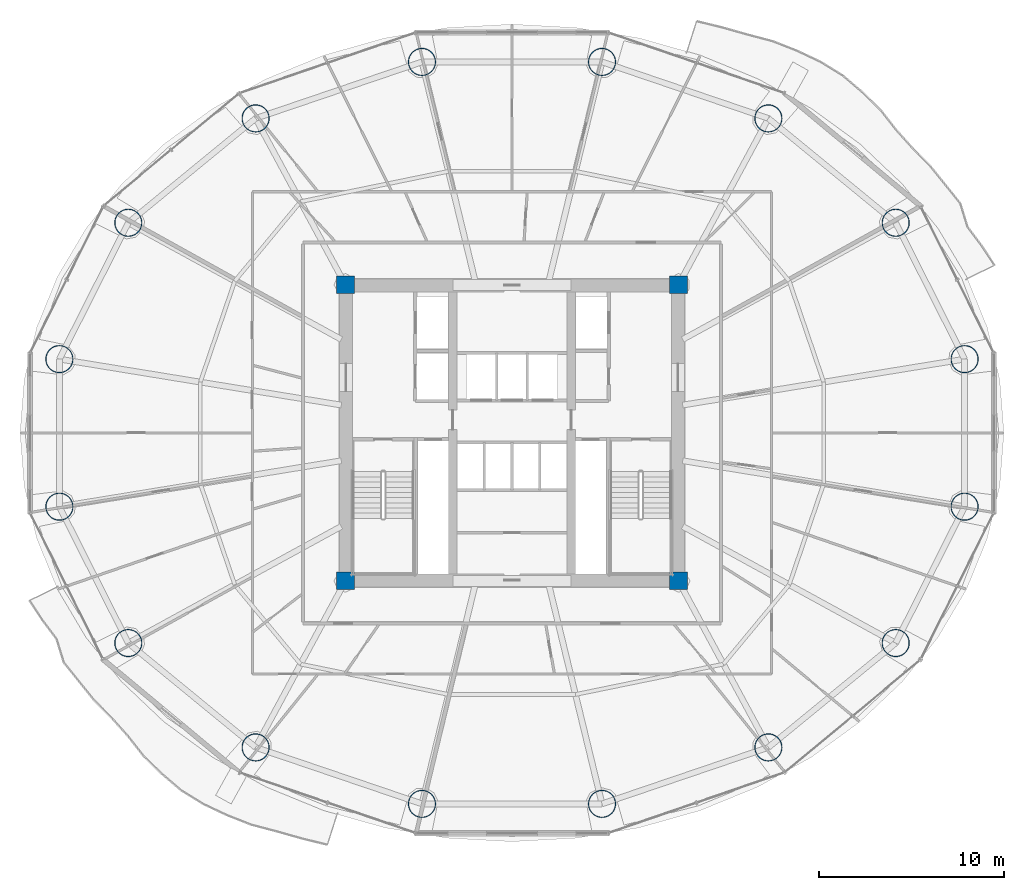
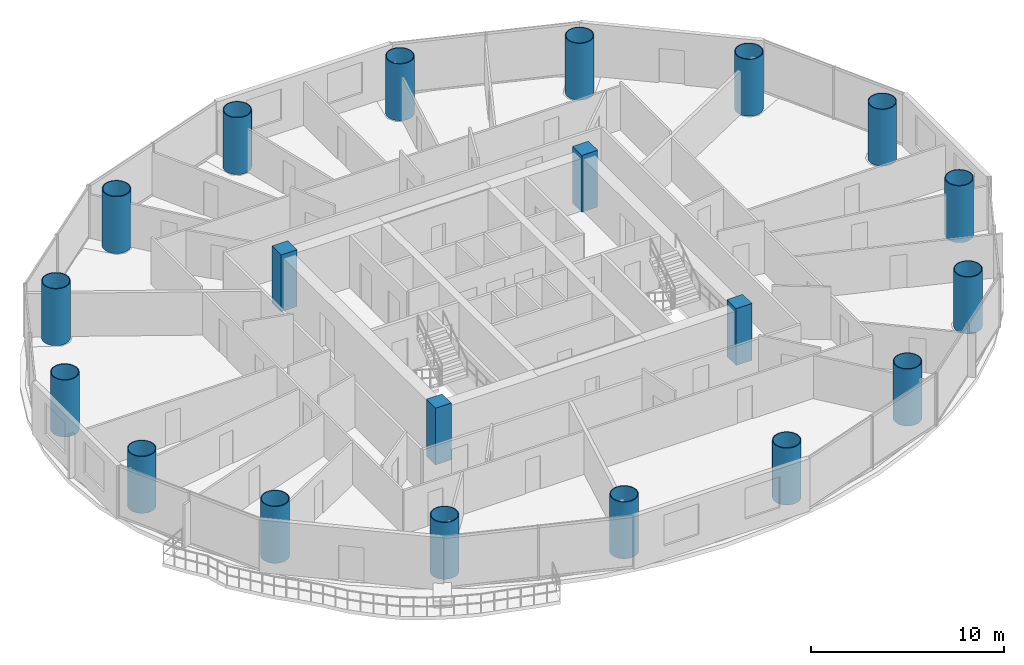
# One storey, part 1 of 29: 20 columns.
"""IFC4 building model written with IfcOpenShell, lengths in metres."""

from ifc_helpers import new_model, si_unit, direction, frame, origin, origin_2d, place, context, subcontext, project, spatial, rectangle, hollow_circle, extrude, material, material_profile, profile_set, type_object, element, save


model = new_model("IFC4")

# Units and contexts
model_context = context("Model", 3, precision=1e-05, world=origin(), true_north=direction((-0.2419218956, 0.970295726276)))
body_context = subcontext(model_context, "Body", "Model", "MODEL_VIEW")
ifc_project = project(units=[si_unit("LENGTHUNIT", "METRE"), si_unit("AREAUNIT", "SQUARE_METRE"), si_unit("VOLUMEUNIT", "CUBIC_METRE"), si_unit("PLANEANGLEUNIT", "RADIAN"), si_unit("MASSUNIT", "GRAM", prefix="KILO")], contexts=[model_context])

# Site, building, storey
site_placement = place(None, origin())
site = spatial("IfcSite", under=ifc_project, at=site_placement, CompositionType="ELEMENT")
building_placement = place(site_placement, origin())
building = spatial("IfcBuilding", under=site, at=building_placement, Name="Cobrevalo Terracotta Tower", CompositionType="ELEMENT")
storey_placement = place(building_placement, frame((0.0, 0.0, 90.60009765625)))
storey = spatial("IfcBuildingStorey", under=building, at=storey_placement, Name="L23", CompositionType="ELEMENT", Elevation=90.60009765625)

# Columns
ifc_material_1 = material(Name="Steel S355", Category="steel")
ifc_material_profile_1 = material_profile(ifc_material_1, hollow_circle(Radius=0.75, WallThickness=0.044921875, at=origin_2d()), Name="CHS 1500x45")
ifc_profile_set_1 = profile_set([ifc_material_profile_1], Name="Steel S355")
column_type_1 = type_object("IfcColumnType", Name="Structural Column CHS 1500x45 (Steel S355)", PredefinedType="COLUMN", material=ifc_profile_set_1)
for number, where, z_axis, x_axis, name in (
    (1, (62.470703125, 30.78955078125, 0.0), (0.0, 0.0, 1.0), (1.0, 0.0, 0.0), "L23 composite megacolumn MC01"),
    (2, (58.7451171875, 38.161376953125, 0.0), (0.0, 0.0, 1.0), (1.0, 0.0, 0.0), "L23 composite megacolumn MC02"),
    (3, (51.861572265625, 43.803466796875, 0.0), (0.0, 0.0, 1.0), (1.0, 0.0, 0.0), "L23 composite megacolumn MC03"),
    (4, (42.867431640625, 46.857177734375, 0.0), (0.0, 0.0, 1.0), (1.0, 0.0, 0.0), "L23 composite megacolumn MC04"),
    (5, (33.132568359375, 46.857177734375, 0.0), (0.0, 0.0, 1.0), (1.0, 0.0, 0.0), "L23 composite megacolumn MC05"),
    (6, (24.138427734375, 43.803466796875, 0.0), (0.0, 0.0, 1.0), (1.0, 0.0, 0.0), "L23 composite megacolumn MC06"),
    (7, (17.2548828125, 38.161376953125, 0.0), (0.0, 0.0, 1.0), (1.0, 0.0, 0.0), "L23 composite megacolumn MC07"),
    (8, (13.529296875, 30.78955078125, 0.0), (0.0, 0.0, 1.0), (1.0, 0.0, 0.0), "L23 composite megacolumn MC08"),
    (9, (13.529296875, 22.810302734375, 0.0), (0.0, 0.0, 1.0), (1.0, 0.0, 0.0), "L23 composite megacolumn MC09"),
    (10, (17.2548828125, 15.4384765625, 0.0), (0.0, 0.0, 1.0), (1.0, 0.0, 0.0), "L23 composite megacolumn MC10"),
    (11, (24.138427734375, 9.79638671875, 0.0), (0.0, 0.0, 1.0), (1.0, 0.0, 0.0), "L23 composite megacolumn MC11"),
    (12, (33.132568359375, 6.742919921875, 0.0), (0.0, 0.0, 1.0), (1.0, 0.0, 0.0), "L23 composite megacolumn MC12"),
    (13, (42.867431640625, 6.742919921875, 0.0), (0.0, 0.0, 1.0), (1.0, 0.0, 0.0), "L23 composite megacolumn MC13"),
    (14, (51.861572265625, 9.79638671875, 0.0), (0.0, 0.0, 1.0), (1.0, 0.0, 0.0), "L23 composite megacolumn MC14"),
    (15, (58.7451171875, 15.4384765625, 0.0), (0.0, 0.0, 1.0), (1.0, 0.0, 0.0), "L23 composite megacolumn MC15"),
    (16, (62.470703125, 22.810302734375, 0.0), (0.0, 0.0, 1.0), (1.0, 0.0, 0.0), "L23 composite megacolumn MC16"),
):
    element("IfcColumn", number, at=place(storey_placement, frame(where, z_axis=z_axis, x_axis=x_axis)), inside=storey, type_object=column_type_1, Name=name, PredefinedType="COLUMN", context=body_context, shape_type="SweptSolid", body=[
        extrude(hollow_circle(Radius=0.75, WallThickness=0.044921875, at=origin_2d()), origin(), (0.0, 0.0, 1.0), 3.599853515625),
    ])
ifc_material_2 = material(Name="Concrete C55", Category="concrete")
ifc_material_profile_2 = material_profile(ifc_material_2, rectangle(XDim=0.949951171875, YDim=0.949951171875, at=origin_2d()), Name="RC COL 950x950")
ifc_profile_set_2 = profile_set([ifc_material_profile_2], Name="Concrete C55")
column_type_2 = type_object("IfcColumnType", Name="Structural Column RC COL 950x950 (Concrete C55)", PredefinedType="COLUMN", material=ifc_profile_set_2)
for number, where, z_axis, x_axis, name in (
    (17, (29.0, 18.800048828125, 0.0), (0.0, 0.0, 1.0), (1.0, 0.0, 0.0), "L23 core corner column CC1"),
    (18, (47.0, 18.800048828125, 0.0), (0.0, 0.0, 1.0), (1.0, 0.0, 0.0), "L23 core corner column CC2"),
    (19, (47.0, 34.800048828125, 0.0), (0.0, 0.0, 1.0), (1.0, 0.0, 0.0), "L23 core corner column CC3"),
    (20, (29.0, 34.800048828125, 0.0), (0.0, 0.0, 1.0), (1.0, 0.0, 0.0), "L23 core corner column CC4"),
):
    element("IfcColumn", number, at=place(storey_placement, frame(where, z_axis=z_axis, x_axis=x_axis)), inside=storey, type_object=column_type_2, Name=name, PredefinedType="COLUMN", context=body_context, shape_type="SweptSolid", body=[
        extrude(rectangle(XDim=0.949951171875, YDim=0.949951171875, at=origin_2d()), origin(), (0.0, 0.0, 1.0), 3.599853515625),
    ])

save(model, "model.ifc")
